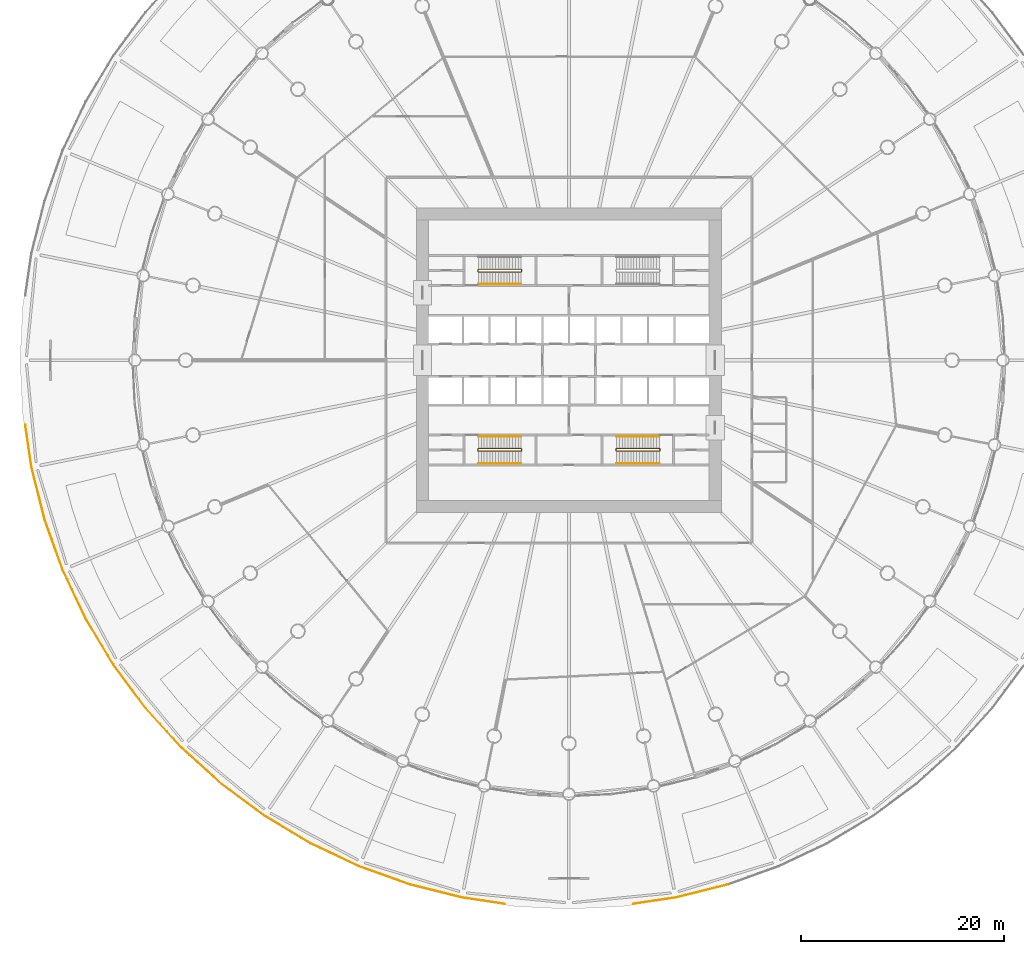
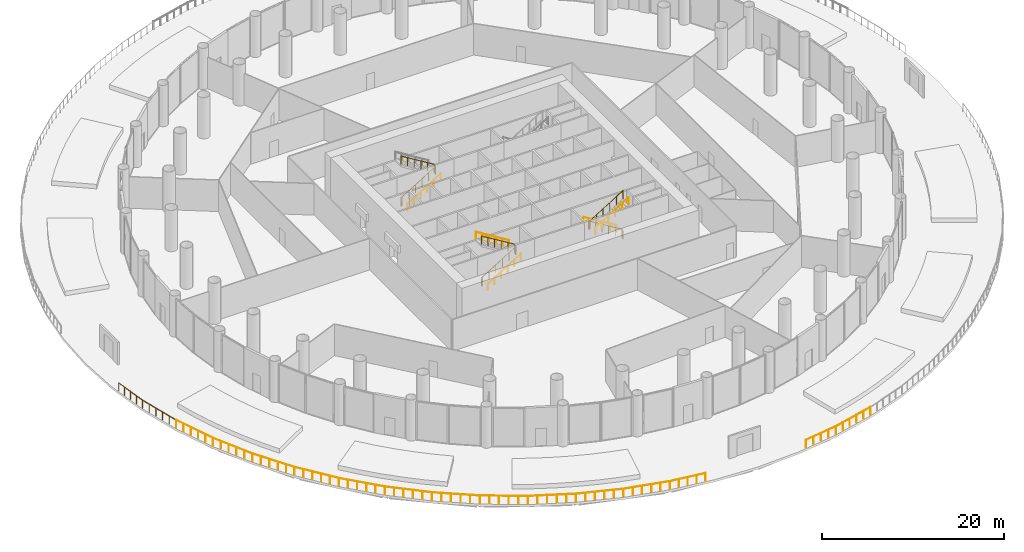
# One storey, part 34 of 36: 11 railings.
"""IFC4 building model written with IfcOpenShell, lengths in metres."""

from ifc_helpers import new_model, si_unit, direction, frame, origin, origin_2d, place, context, subcontext, project, spatial, circle, extrude, material, type_object, element, save


model = new_model("IFC4")

# Units and contexts
model_context = context("Model", 3, precision=1e-05, world=origin(), true_north=direction((0.0, 1.0)))
body_context = subcontext(model_context, "Body", "Model", "MODEL_VIEW")
ifc_project = project(units=[si_unit("LENGTHUNIT", "METRE"), si_unit("AREAUNIT", "SQUARE_METRE"), si_unit("VOLUMEUNIT", "CUBIC_METRE"), si_unit("PLANEANGLEUNIT", "RADIAN"), si_unit("MASSUNIT", "GRAM", prefix="KILO")], contexts=[model_context])

# Site, building, storey
site_placement = place(None, origin())
site = spatial("IfcSite", under=ifc_project, at=site_placement, CompositionType="ELEMENT")
building_placement = place(site_placement, origin())
building = spatial("IfcBuilding", under=site, at=building_placement, Name="Corvane Civic Tower", CompositionType="ELEMENT")
storey_placement = place(building_placement, frame((0.0, 0.0, 6.0)))
storey = spatial("IfcBuildingStorey", under=building, at=storey_placement, Name="L01", CompositionType="ELEMENT", Elevation=6.0)

# Railings
ifc_material_1 = material(Name="Steel ASTM A572 Gr 50", Category="steel")
railing_type_1 = type_object("IfcRailingType", Name="PODIUM-RL-GUARD-1100", PredefinedType="GUARDRAIL", material=ifc_material_1)
railing_1_placement = place(storey_placement, frame((-6.35009765625, -53.482177734375, 0.0)))
element("IfcRailing", 1, at=railing_1_placement, inside=storey, type_object=railing_type_1, Name="Garden deck guard 3", PredefinedType="GUARDRAIL", context=body_context, shape_type="SweptSolid", body=[
    extrude(circle(Radius=0.02392578125, at=origin_2d()), frame((0.0, 0.0, 1.076171875), z_axis=(-0.989174492617, 0.146744073666, 0.0), x_axis=(-0.146744073666, -0.989174492617, 0.0)), (0.0, 0.0, 1.0), 4.2109375),
    extrude(circle(Radius=0.02392578125, at=origin_2d()), frame((-4.165283203125, 0.617919921875, 1.076171875), z_axis=(-0.970033798368, 0.242970018777, 0.0), x_axis=(-0.242970018777, -0.970033798368, 0.0)), (0.0, 0.0, 1.0), 5.289306640625),
    extrude(circle(Radius=0.02392578125, at=origin_2d()), frame((-9.296142578125, 1.903076171875, 1.076171875), z_axis=(-0.941527650852, 0.33693572485, 0.0), x_axis=(-0.33693572485, -0.941527650852, 0.0)), (0.0, 0.0, 1.0), 5.28955078125),
    extrude(circle(Radius=0.02392578125, at=origin_2d()), frame((-14.2763671875, 3.685302734375, 1.076171875), z_axis=(-0.903998000295, 0.427536683178, 0.0), x_axis=(-0.427536683178, -0.903998000295, 0.0)), (0.0, 0.0, 1.0), 5.28955078125),
    extrude(circle(Radius=0.02392578125, at=origin_2d()), frame((-19.05810546875, 5.94677734375, 1.076171875), z_axis=(-0.85773311943, 0.514095220589, 0.0), x_axis=(-0.514095220589, -0.85773311943, 0.0)), (0.0, 0.0, 1.0), 5.289306640625),
    extrude(circle(Radius=0.02392578125, at=origin_2d()), frame((-23.594970703125, 8.666015625, 1.076171875), z_axis=(-0.80322838799, 0.595671181716, 0.0), x_axis=(-0.595671181716, -0.80322838799, 0.0)), (0.0, 0.0, 1.0), 5.28955078125),
    extrude(circle(Radius=0.02392578125, at=origin_2d()), frame((-27.84375, 11.81689453125, 1.076171875), z_axis=(-0.740941734233, 0.671569316208, 0.0), x_axis=(-0.671569316208, -0.740941734233, 0.0)), (0.0, 0.0, 1.0), 5.28955078125),
    extrude(circle(Radius=0.02392578125, at=origin_2d()), frame((-31.762939453125, 15.369140625, 1.076171875), z_axis=(-0.671569316208, 0.740941734233, 0.0), x_axis=(-0.740941734233, -0.671569316208, 0.0)), (0.0, 0.0, 1.0), 5.28955078125),
    extrude(circle(Radius=0.02392578125, at=origin_2d()), frame((-35.315185546875, 19.288330078125, 1.076171875), z_axis=(-0.595671181716, 0.80322838799, 0.0), x_axis=(-0.80322838799, -0.595671181716, 0.0)), (0.0, 0.0, 1.0), 5.28955078125),
    extrude(circle(Radius=0.02392578125, at=origin_2d()), frame((-38.466064453125, 23.537109375, 1.076171875), z_axis=(-0.514095220589, 0.85773311943, 0.0), x_axis=(-0.85773311943, -0.514095220589, 0.0)), (0.0, 0.0, 1.0), 5.289306640625),
    extrude(circle(Radius=0.02392578125, at=origin_2d()), frame((-41.185302734375, 28.073974609375, 1.076171875), z_axis=(-0.427536683178, 0.903998000295, 0.0), x_axis=(-0.903998000295, -0.427536683178, 0.0)), (0.0, 0.0, 1.0), 5.28955078125),
    extrude(circle(Radius=0.02392578125, at=origin_2d()), frame((-43.44677734375, 32.855712890625, 1.076171875), z_axis=(-0.336923904714, 0.941531880731, 0.0), x_axis=(-0.941531880731, -0.336923904714, 0.0)), (0.0, 0.0, 1.0), 5.264404296875),
    extrude(circle(Radius=0.02099609375, at=origin_2d()), origin(), (0.0, 0.0, 1.0), 1.052001953125),
    extrude(circle(Radius=0.02099609375, at=origin_2d()), frame((-1.041259765625, 0.154541015625, 0.0)), (0.0, 0.0, 1.0), 1.052001953125),
    extrude(circle(Radius=0.02099609375, at=origin_2d()), frame((-2.08251953125, 0.30908203125, 0.0)), (0.0, 0.0, 1.0), 1.052001953125),
    extrude(circle(Radius=0.02099609375, at=origin_2d()), frame((-3.1240234375, 0.46337890625, 0.0)), (0.0, 0.0, 1.0), 1.052001953125),
    extrude(circle(Radius=0.02099609375, at=origin_2d()), frame((-4.165283203125, 0.617919921875, 0.0)), (0.0, 0.0, 1.0), 1.052001953125),
    extrude(circle(Radius=0.02099609375, at=origin_2d()), frame((-5.19140625, 0.875, 0.0)), (0.0, 0.0, 1.0), 1.052001953125),
    extrude(circle(Radius=0.02099609375, at=origin_2d()), frame((-6.217529296875, 1.132080078125, 0.0)), (0.0, 0.0, 1.0), 1.052001953125),
    extrude(circle(Radius=0.02099609375, at=origin_2d()), frame((-7.243896484375, 1.388916015625, 0.0)), (0.0, 0.0, 1.0), 1.052001953125),
    extrude(circle(Radius=0.02099609375, at=origin_2d()), frame((-8.27001953125, 1.64599609375, 0.0)), (0.0, 0.0, 1.0), 1.052001953125),
    extrude(circle(Radius=0.02099609375, at=origin_2d()), frame((-9.296142578125, 1.903076171875, 0.0)), (0.0, 0.0, 1.0), 1.052001953125),
    extrude(circle(Radius=0.02099609375, at=origin_2d()), frame((-10.292236328125, 2.259521484375, 0.0)), (0.0, 0.0, 1.0), 1.052001953125),
    extrude(circle(Radius=0.02099609375, at=origin_2d()), frame((-11.288330078125, 2.615966796875, 0.0)), (0.0, 0.0, 1.0), 1.052001953125),
    extrude(circle(Radius=0.02099609375, at=origin_2d()), frame((-12.2841796875, 2.972412109375, 0.0)), (0.0, 0.0, 1.0), 1.052001953125),
    extrude(circle(Radius=0.02099609375, at=origin_2d()), frame((-13.2802734375, 3.328857421875, 0.0)), (0.0, 0.0, 1.0), 1.052001953125),
    extrude(circle(Radius=0.02099609375, at=origin_2d()), frame((-14.2763671875, 3.685302734375, 0.0)), (0.0, 0.0, 1.0), 1.052001953125),
    extrude(circle(Radius=0.02099609375, at=origin_2d()), frame((-15.232666015625, 4.1376953125, 0.0)), (0.0, 0.0, 1.0), 1.052001953125),
    extrude(circle(Radius=0.02099609375, at=origin_2d()), frame((-16.18896484375, 4.58984375, 0.0)), (0.0, 0.0, 1.0), 1.052001953125),
    extrude(circle(Radius=0.02099609375, at=origin_2d()), frame((-17.1455078125, 5.042236328125, 0.0)), (0.0, 0.0, 1.0), 1.052001953125),
    extrude(circle(Radius=0.02099609375, at=origin_2d()), frame((-18.101806640625, 5.494384765625, 0.0)), (0.0, 0.0, 1.0), 1.052001953125),
    extrude(circle(Radius=0.02099609375, at=origin_2d()), frame((-19.05810546875, 5.94677734375, 0.0)), (0.0, 0.0, 1.0), 1.052001953125),
    extrude(circle(Radius=0.02099609375, at=origin_2d()), frame((-19.965576171875, 6.49072265625, 0.0)), (0.0, 0.0, 1.0), 1.052001953125),
    extrude(circle(Radius=0.02099609375, at=origin_2d()), frame((-20.872802734375, 7.034423828125, 0.0)), (0.0, 0.0, 1.0), 1.052001953125),
    extrude(circle(Radius=0.02099609375, at=origin_2d()), frame((-21.7802734375, 7.578369140625, 0.0)), (0.0, 0.0, 1.0), 1.052001953125),
    extrude(circle(Radius=0.02099609375, at=origin_2d()), frame((-22.6875, 8.1220703125, 0.0)), (0.0, 0.0, 1.0), 1.052001953125),
    extrude(circle(Radius=0.02099609375, at=origin_2d()), frame((-23.594970703125, 8.666015625, 0.0)), (0.0, 0.0, 1.0), 1.052001953125),
    extrude(circle(Radius=0.02099609375, at=origin_2d()), frame((-24.44482421875, 9.296142578125, 0.0)), (0.0, 0.0, 1.0), 1.052001953125),
    extrude(circle(Radius=0.02099609375, at=origin_2d()), frame((-25.29443359375, 9.92626953125, 0.0)), (0.0, 0.0, 1.0), 1.052001953125),
    extrude(circle(Radius=0.02099609375, at=origin_2d()), frame((-26.144287109375, 10.556640625, 0.0)), (0.0, 0.0, 1.0), 1.052001953125),
    extrude(circle(Radius=0.02099609375, at=origin_2d()), frame((-26.993896484375, 11.186767578125, 0.0)), (0.0, 0.0, 1.0), 1.052001953125),
    extrude(circle(Radius=0.02099609375, at=origin_2d()), frame((-27.84375, 11.81689453125, 0.0)), (0.0, 0.0, 1.0), 1.052001953125),
    extrude(circle(Radius=0.02099609375, at=origin_2d()), frame((-28.627685546875, 12.52734375, 0.0)), (0.0, 0.0, 1.0), 1.052001953125),
    extrude(circle(Radius=0.02099609375, at=origin_2d()), frame((-29.411376953125, 13.23779296875, 0.0)), (0.0, 0.0, 1.0), 1.052001953125),
    extrude(circle(Radius=0.02099609375, at=origin_2d()), frame((-30.1953125, 13.9482421875, 0.0)), (0.0, 0.0, 1.0), 1.052001953125),
    extrude(circle(Radius=0.02099609375, at=origin_2d()), frame((-30.97900390625, 14.65869140625, 0.0)), (0.0, 0.0, 1.0), 1.052001953125),
    extrude(circle(Radius=0.02099609375, at=origin_2d()), frame((-31.762939453125, 15.369140625, 0.0)), (0.0, 0.0, 1.0), 1.052001953125),
    extrude(circle(Radius=0.02099609375, at=origin_2d()), frame((-32.473388671875, 16.153076171875, 0.0)), (0.0, 0.0, 1.0), 1.052001953125),
    extrude(circle(Radius=0.02099609375, at=origin_2d()), frame((-33.183837890625, 16.936767578125, 0.0)), (0.0, 0.0, 1.0), 1.052001953125),
    extrude(circle(Radius=0.02099609375, at=origin_2d()), frame((-33.894287109375, 17.720703125, 0.0)), (0.0, 0.0, 1.0), 1.052001953125),
    extrude(circle(Radius=0.02099609375, at=origin_2d()), frame((-34.604736328125, 18.50439453125, 0.0)), (0.0, 0.0, 1.0), 1.052001953125),
    extrude(circle(Radius=0.02099609375, at=origin_2d()), frame((-35.315185546875, 19.288330078125, 0.0)), (0.0, 0.0, 1.0), 1.052001953125),
    extrude(circle(Radius=0.02099609375, at=origin_2d()), frame((-35.9453125, 20.13818359375, 0.0)), (0.0, 0.0, 1.0), 1.052001953125),
    extrude(circle(Radius=0.02099609375, at=origin_2d()), frame((-36.575439453125, 20.98779296875, 0.0)), (0.0, 0.0, 1.0), 1.052001953125),
    extrude(circle(Radius=0.02099609375, at=origin_2d()), frame((-37.205810546875, 21.837646484375, 0.0)), (0.0, 0.0, 1.0), 1.052001953125),
    extrude(circle(Radius=0.02099609375, at=origin_2d()), frame((-37.8359375, 22.687255859375, 0.0)), (0.0, 0.0, 1.0), 1.052001953125),
    extrude(circle(Radius=0.02099609375, at=origin_2d()), frame((-38.466064453125, 23.537109375, 0.0)), (0.0, 0.0, 1.0), 1.052001953125),
    extrude(circle(Radius=0.02099609375, at=origin_2d()), frame((-39.010009765625, 24.444580078125, 0.0)), (0.0, 0.0, 1.0), 1.052001953125),
    extrude(circle(Radius=0.02099609375, at=origin_2d()), frame((-39.5537109375, 25.351806640625, 0.0)), (0.0, 0.0, 1.0), 1.052001953125),
    extrude(circle(Radius=0.02099609375, at=origin_2d()), frame((-40.09765625, 26.25927734375, 0.0)), (0.0, 0.0, 1.0), 1.052001953125),
    extrude(circle(Radius=0.02099609375, at=origin_2d()), frame((-40.641357421875, 27.16650390625, 0.0)), (0.0, 0.0, 1.0), 1.052001953125),
    extrude(circle(Radius=0.02099609375, at=origin_2d()), frame((-41.185302734375, 28.073974609375, 0.0)), (0.0, 0.0, 1.0), 1.052001953125),
    extrude(circle(Radius=0.02099609375, at=origin_2d()), frame((-41.6376953125, 29.0302734375, 0.0)), (0.0, 0.0, 1.0), 1.052001953125),
    extrude(circle(Radius=0.02099609375, at=origin_2d()), frame((-42.08984375, 29.986572265625, 0.0)), (0.0, 0.0, 1.0), 1.052001953125),
    extrude(circle(Radius=0.02099609375, at=origin_2d()), frame((-42.542236328125, 30.943115234375, 0.0)), (0.0, 0.0, 1.0), 1.052001953125),
    extrude(circle(Radius=0.02099609375, at=origin_2d()), frame((-42.994384765625, 31.8994140625, 0.0)), (0.0, 0.0, 1.0), 1.052001953125),
    extrude(circle(Radius=0.02099609375, at=origin_2d()), frame((-43.44677734375, 32.855712890625, 0.0)), (0.0, 0.0, 1.0), 1.052001953125),
    extrude(circle(Radius=0.02099609375, at=origin_2d()), frame((-43.801513671875, 33.846923828125, 0.0)), (0.0, 0.0, 1.0), 1.052001953125),
    extrude(circle(Radius=0.02099609375, at=origin_2d()), frame((-44.15625, 34.83837890625, 0.0)), (0.0, 0.0, 1.0), 1.052001953125),
    extrude(circle(Radius=0.02099609375, at=origin_2d()), frame((-44.510986328125, 35.82958984375, 0.0)), (0.0, 0.0, 1.0), 1.052001953125),
    extrude(circle(Radius=0.02099609375, at=origin_2d()), frame((-44.86572265625, 36.821044921875, 0.0)), (0.0, 0.0, 1.0), 1.052001953125),
    extrude(circle(Radius=0.02099609375, at=origin_2d()), frame((-45.220458984375, 37.812255859375, 0.0)), (0.0, 0.0, 1.0), 1.052001953125),
])
railing_2_placement = place(storey_placement, frame((-51.585205078125, -15.6220703125, 0.0)))
element("IfcRailing", 2, at=railing_2_placement, inside=storey, type_object=railing_type_1, Name="Garden deck guard 4", PredefinedType="GUARDRAIL", context=body_context, shape_type="SweptSolid", body=[
    extrude(circle(Radius=0.02392578125, at=origin_2d()), frame((0.0, 0.0, 1.076171875), z_axis=(-0.242961164974, 0.970036015988, 0.0), x_axis=(-0.970036015988, -0.242961164974, 0.0)), (0.0, 0.0, 1.0), 5.264404296875),
    extrude(circle(Radius=0.02392578125, at=origin_2d()), frame((-1.279052734375, 5.106689453125, 1.076171875), z_axis=(-0.146744073666, 0.989174492617, 0.0), x_axis=(-0.989174492617, -0.146744073666, 0.0)), (0.0, 0.0, 1.0), 4.2109375),
    extrude(circle(Radius=0.02099609375, at=origin_2d()), origin(), (0.0, 0.0, 1.0), 1.052001953125),
    extrude(circle(Radius=0.02099609375, at=origin_2d()), frame((-0.255859375, 1.021240234375, 0.0)), (0.0, 0.0, 1.0), 1.052001953125),
    extrude(circle(Radius=0.02099609375, at=origin_2d()), frame((-0.51171875, 2.042724609375, 0.0)), (0.0, 0.0, 1.0), 1.052001953125),
    extrude(circle(Radius=0.02099609375, at=origin_2d()), frame((-0.767333984375, 3.06396484375, 0.0)), (0.0, 0.0, 1.0), 1.052001953125),
    extrude(circle(Radius=0.02099609375, at=origin_2d()), frame((-1.023193359375, 4.08544921875, 0.0)), (0.0, 0.0, 1.0), 1.052001953125),
    extrude(circle(Radius=0.02099609375, at=origin_2d()), frame((-1.279052734375, 5.106689453125, 0.0)), (0.0, 0.0, 1.0), 1.052001953125),
    extrude(circle(Radius=0.02099609375, at=origin_2d()), frame((-1.43359375, 6.14794921875, 0.0)), (0.0, 0.0, 1.0), 1.052001953125),
    extrude(circle(Radius=0.02099609375, at=origin_2d()), frame((-1.587890625, 7.189453125, 0.0)), (0.0, 0.0, 1.0), 1.052001953125),
    extrude(circle(Radius=0.02099609375, at=origin_2d()), frame((-1.742431640625, 8.230712890625, 0.0)), (0.0, 0.0, 1.0), 1.052001953125),
    extrude(circle(Radius=0.02099609375, at=origin_2d()), frame((-1.89697265625, 9.27197265625, 0.0)), (0.0, 0.0, 1.0), 1.052001953125),
])
railing_3_placement = place(storey_placement, frame((15.6220703125, -51.585205078125, 0.0)))
element("IfcRailing", 3, at=railing_3_placement, inside=storey, type_object=railing_type_1, Name="Garden deck guard 8", PredefinedType="GUARDRAIL", context=body_context, shape_type="SweptSolid", body=[
    extrude(circle(Radius=0.02392578125, at=origin_2d()), frame((0.0, 0.0, 1.076171875), z_axis=(-0.970036015988, -0.242961164974, 0.0), x_axis=(0.242961164974, -0.970036015988, 0.0)), (0.0, 0.0, 1.0), 5.264404296875),
    extrude(circle(Radius=0.02392578125, at=origin_2d()), frame((-5.106689453125, -1.279052734375, 1.076171875), z_axis=(-0.989174492617, -0.146744073666, 0.0), x_axis=(0.146744073666, -0.989174492617, 0.0)), (0.0, 0.0, 1.0), 4.2109375),
    extrude(circle(Radius=0.02099609375, at=origin_2d()), origin(), (0.0, 0.0, 1.0), 1.052001953125),
    extrude(circle(Radius=0.02099609375, at=origin_2d()), frame((-1.021240234375, -0.255859375, 0.0)), (0.0, 0.0, 1.0), 1.052001953125),
    extrude(circle(Radius=0.02099609375, at=origin_2d()), frame((-2.042724609375, -0.51171875, 0.0)), (0.0, 0.0, 1.0), 1.052001953125),
    extrude(circle(Radius=0.02099609375, at=origin_2d()), frame((-3.06396484375, -0.767333984375, 0.0)), (0.0, 0.0, 1.0), 1.052001953125),
    extrude(circle(Radius=0.02099609375, at=origin_2d()), frame((-4.08544921875, -1.023193359375, 0.0)), (0.0, 0.0, 1.0), 1.052001953125),
    extrude(circle(Radius=0.02099609375, at=origin_2d()), frame((-5.106689453125, -1.279052734375, 0.0)), (0.0, 0.0, 1.0), 1.052001953125),
    extrude(circle(Radius=0.02099609375, at=origin_2d()), frame((-6.14794921875, -1.43359375, 0.0)), (0.0, 0.0, 1.0), 1.052001953125),
    extrude(circle(Radius=0.02099609375, at=origin_2d()), frame((-7.189453125, -1.587890625, 0.0)), (0.0, 0.0, 1.0), 1.052001953125),
    extrude(circle(Radius=0.02099609375, at=origin_2d()), frame((-8.230712890625, -1.742431640625, 0.0)), (0.0, 0.0, 1.0), 1.052001953125),
    extrude(circle(Radius=0.02099609375, at=origin_2d()), frame((-9.27197265625, -1.89697265625, 0.0)), (0.0, 0.0, 1.0), 1.052001953125),
])
ifc_material_2 = material(Name="Steel ASTM A572 Gr 50", Category="steel")
railing_type_2 = type_object("IfcRailingType", Name="ST-GUARD-1100", PredefinedType="GUARDRAIL", material=ifc_material_2)
railing_4_placement = place(storey_placement, frame((8.949951171875, -8.89990234375, 0.0)))
element("IfcRailing", 4, at=railing_4_placement, inside=storey, type_object=railing_type_2, Name="L01 ST2 stair guard 1", PredefinedType="GUARDRAIL", context=body_context, shape_type="SweptSolid", body=[
    extrude(circle(Radius=0.02392578125, at=origin_2d()), frame((0.0, 0.0, 1.076171875), z_axis=(0.0, 1.0, 0.0), x_axis=(-1.0, 0.0, 0.0)), (0.0, 0.0, 1.0), 0.14990234375),
    extrude(circle(Radius=0.02392578125, at=origin_2d()), frame((0.0, 0.14990234375, 1.076171875), z_axis=(-0.269255725606, 0.269255725606, 0.92466356501), x_axis=(-0.707106781187, -0.707106781187, 0.0)), (0.0, 0.0, 1.0), 0.185791015625),
    extrude(circle(Radius=0.02392578125, at=origin_2d()), frame((-0.050048828125, 0.199951171875, 1.248046875), z_axis=(-0.852242915053, 0.0, 0.523146264196), x_axis=(0.0, -1.0, 0.0)), (0.0, 0.0, 1.0), 4.92822265625),
    extrude(circle(Radius=0.02392578125, at=origin_2d()), frame((-4.25, 0.199951171875, 3.826171875), z_axis=(-0.707106781187, -0.707106781187, 0.0), x_axis=(0.707106781187, -0.707106781187, 0.0)), (0.0, 0.0, 1.0), 0.07080078125),
    extrude(circle(Radius=0.02392578125, at=origin_2d()), frame((-4.300048828125, 0.14990234375, 3.826171875), z_axis=(0.0, -1.0, 0.0), x_axis=(1.0, 0.0, 0.0)), (0.0, 0.0, 1.0), 0.14990234375),
    extrude(circle(Radius=0.02392578125, at=origin_2d()), frame((-4.300048828125, 0.0, 3.826171875), z_axis=(0.269255725606, -0.269255725606, 0.92466356501), x_axis=(0.707106781187, 0.707106781187, 0.0)), (0.0, 0.0, 1.0), 0.185791015625),
    extrude(circle(Radius=0.02392578125, at=origin_2d()), frame((-4.25, -0.050048828125, 3.998046875), z_axis=(0.852242915053, 0.0, 0.523146264196), x_axis=(0.0, 1.0, 0.0)), (0.0, 0.0, 1.0), 4.92822265625),
    extrude(circle(Radius=0.02099609375, at=origin_2d()), origin(), (0.0, 0.0, 1.0), 1.052001953125),
    extrude(circle(Radius=0.02099609375, at=origin_2d()), frame((0.0, 0.14990234375, 0.0)), (0.0, 0.0, 1.0), 1.052001953125),
    extrude(circle(Radius=0.02099609375, at=origin_2d()), frame((-0.050048828125, 0.199951171875, 0.171875)), (0.0, 0.0, 1.0), 1.052001953125),
    extrude(circle(Radius=0.02099609375, at=origin_2d()), frame((-0.89013671875, 0.199951171875, 0.6875)), (0.0, 0.0, 1.0), 1.052001953125),
    extrude(circle(Radius=0.02099609375, at=origin_2d()), frame((-1.72998046875, 0.199951171875, 1.203125)), (0.0, 0.0, 1.0), 1.052001953125),
    extrude(circle(Radius=0.02099609375, at=origin_2d()), frame((-2.570068359375, 0.199951171875, 1.71875)), (0.0, 0.0, 1.0), 1.052001953125),
    extrude(circle(Radius=0.02099609375, at=origin_2d()), frame((-3.409912109375, 0.199951171875, 2.234375)), (0.0, 0.0, 1.0), 1.052001953125),
    extrude(circle(Radius=0.02099609375, at=origin_2d()), frame((-4.25, 0.199951171875, 2.75)), (0.0, 0.0, 1.0), 1.052001953125),
    extrude(circle(Radius=0.02099609375, at=origin_2d()), frame((-4.300048828125, 0.14990234375, 2.75)), (0.0, 0.0, 1.0), 1.052001953125),
    extrude(circle(Radius=0.02099609375, at=origin_2d()), frame((-4.300048828125, 0.0, 2.75)), (0.0, 0.0, 1.0), 1.052001953125),
    extrude(circle(Radius=0.02099609375, at=origin_2d()), frame((-4.25, -0.050048828125, 2.921875)), (0.0, 0.0, 1.0), 1.052001953125),
    extrude(circle(Radius=0.02099609375, at=origin_2d()), frame((-3.409912109375, -0.050048828125, 3.4375)), (0.0, 0.0, 1.0), 1.052001953125),
    extrude(circle(Radius=0.02099609375, at=origin_2d()), frame((-2.570068359375, -0.050048828125, 3.953125)), (0.0, 0.0, 1.0), 1.052001953125),
    extrude(circle(Radius=0.02099609375, at=origin_2d()), frame((-1.72998046875, -0.050048828125, 4.46875)), (0.0, 0.0, 1.0), 1.052001953125),
    extrude(circle(Radius=0.02099609375, at=origin_2d()), frame((-0.89013671875, -0.050048828125, 4.984375)), (0.0, 0.0, 1.0), 1.052001953125),
    extrude(circle(Radius=0.02099609375, at=origin_2d()), frame((-0.050048828125, -0.050048828125, 5.5)), (0.0, 0.0, 1.0), 1.052001953125),
])
railing_5_placement = place(storey_placement, frame((-8.949951171875, -8.75, 0.0)))
element("IfcRailing", 5, at=railing_5_placement, inside=storey, type_object=railing_type_2, Name="L01 ST3 stair guard 1", PredefinedType="GUARDRAIL", context=body_context, shape_type="SweptSolid", body=[
    extrude(circle(Radius=0.02392578125, at=origin_2d()), frame((0.0, 0.0, 1.076171875), z_axis=(0.0, -1.0, 0.0), x_axis=(1.0, 0.0, 0.0)), (0.0, 0.0, 1.0), 0.14990234375),
    extrude(circle(Radius=0.02392578125, at=origin_2d()), frame((0.0, -0.14990234375, 1.076171875), z_axis=(0.269255725606, -0.269255725606, 0.92466356501), x_axis=(0.707106781187, 0.707106781187, 0.0)), (0.0, 0.0, 1.0), 0.185791015625),
    extrude(circle(Radius=0.02392578125, at=origin_2d()), frame((0.050048828125, -0.199951171875, 1.248046875), z_axis=(0.852242915053, 0.0, 0.523146264196), x_axis=(0.0, 1.0, 0.0)), (0.0, 0.0, 1.0), 4.92822265625),
    extrude(circle(Radius=0.02392578125, at=origin_2d()), frame((4.25, -0.199951171875, 3.826171875), z_axis=(0.707106781187, 0.707106781187, 0.0), x_axis=(-0.707106781187, 0.707106781187, 0.0)), (0.0, 0.0, 1.0), 0.07080078125),
    extrude(circle(Radius=0.02392578125, at=origin_2d()), frame((4.300048828125, -0.14990234375, 3.826171875), z_axis=(0.0, 1.0, 0.0), x_axis=(-1.0, 0.0, 0.0)), (0.0, 0.0, 1.0), 0.14990234375),
    extrude(circle(Radius=0.02392578125, at=origin_2d()), frame((4.300048828125, 0.0, 3.826171875), z_axis=(-0.269255725606, 0.269255725606, 0.92466356501), x_axis=(-0.707106781187, -0.707106781187, 0.0)), (0.0, 0.0, 1.0), 0.185791015625),
    extrude(circle(Radius=0.02392578125, at=origin_2d()), frame((4.25, 0.050048828125, 3.998046875), z_axis=(-0.852242915053, 0.0, 0.523146264196), x_axis=(0.0, -1.0, 0.0)), (0.0, 0.0, 1.0), 4.92822265625),
    extrude(circle(Radius=0.02099609375, at=origin_2d()), origin(), (0.0, 0.0, 1.0), 1.052001953125),
    extrude(circle(Radius=0.02099609375, at=origin_2d()), frame((0.0, -0.14990234375, 0.0)), (0.0, 0.0, 1.0), 1.052001953125),
    extrude(circle(Radius=0.02099609375, at=origin_2d()), frame((0.050048828125, -0.199951171875, 0.171875)), (0.0, 0.0, 1.0), 1.052001953125),
    extrude(circle(Radius=0.02099609375, at=origin_2d()), frame((0.89013671875, -0.199951171875, 0.6875)), (0.0, 0.0, 1.0), 1.052001953125),
    extrude(circle(Radius=0.02099609375, at=origin_2d()), frame((1.72998046875, -0.199951171875, 1.203125)), (0.0, 0.0, 1.0), 1.052001953125),
    extrude(circle(Radius=0.02099609375, at=origin_2d()), frame((2.570068359375, -0.199951171875, 1.71875)), (0.0, 0.0, 1.0), 1.052001953125),
    extrude(circle(Radius=0.02099609375, at=origin_2d()), frame((3.409912109375, -0.199951171875, 2.234375)), (0.0, 0.0, 1.0), 1.052001953125),
    extrude(circle(Radius=0.02099609375, at=origin_2d()), frame((4.25, -0.199951171875, 2.75)), (0.0, 0.0, 1.0), 1.052001953125),
    extrude(circle(Radius=0.02099609375, at=origin_2d()), frame((4.300048828125, -0.14990234375, 2.75)), (0.0, 0.0, 1.0), 1.052001953125),
    extrude(circle(Radius=0.02099609375, at=origin_2d()), frame((4.300048828125, 0.0, 2.75)), (0.0, 0.0, 1.0), 1.052001953125),
    extrude(circle(Radius=0.02099609375, at=origin_2d()), frame((4.25, 0.050048828125, 2.921875)), (0.0, 0.0, 1.0), 1.052001953125),
    extrude(circle(Radius=0.02099609375, at=origin_2d()), frame((3.409912109375, 0.050048828125, 3.4375)), (0.0, 0.0, 1.0), 1.052001953125),
    extrude(circle(Radius=0.02099609375, at=origin_2d()), frame((2.570068359375, 0.050048828125, 3.953125)), (0.0, 0.0, 1.0), 1.052001953125),
    extrude(circle(Radius=0.02099609375, at=origin_2d()), frame((1.72998046875, 0.050048828125, 4.46875)), (0.0, 0.0, 1.0), 1.052001953125),
    extrude(circle(Radius=0.02099609375, at=origin_2d()), frame((0.89013671875, 0.050048828125, 4.984375)), (0.0, 0.0, 1.0), 1.052001953125),
    extrude(circle(Radius=0.02099609375, at=origin_2d()), frame((0.050048828125, 0.050048828125, 5.5)), (0.0, 0.0, 1.0), 1.052001953125),
])
railing_6_placement = place(storey_placement, frame((-8.949951171875, 8.89990234375, 0.0)))
element("IfcRailing", 6, at=railing_6_placement, inside=storey, type_object=railing_type_2, Name="L01 ST4 stair guard 1", PredefinedType="GUARDRAIL", context=body_context, shape_type="SweptSolid", body=[
    extrude(circle(Radius=0.02392578125, at=origin_2d()), frame((0.0, 0.0, 1.076171875), z_axis=(0.0, -1.0, 0.0), x_axis=(1.0, 0.0, 0.0)), (0.0, 0.0, 1.0), 0.14990234375),
    extrude(circle(Radius=0.02392578125, at=origin_2d()), frame((0.0, -0.14990234375, 1.076171875), z_axis=(0.269255725606, -0.269255725606, 0.92466356501), x_axis=(0.707106781187, 0.707106781187, 0.0)), (0.0, 0.0, 1.0), 0.185791015625),
    extrude(circle(Radius=0.02392578125, at=origin_2d()), frame((0.050048828125, -0.199951171875, 1.248046875), z_axis=(0.852242915053, 0.0, 0.523146264196), x_axis=(0.0, 1.0, 0.0)), (0.0, 0.0, 1.0), 4.92822265625),
    extrude(circle(Radius=0.02392578125, at=origin_2d()), frame((4.25, -0.199951171875, 3.826171875), z_axis=(0.707106781187, 0.707106781187, 0.0), x_axis=(-0.707106781187, 0.707106781187, 0.0)), (0.0, 0.0, 1.0), 0.07080078125),
    extrude(circle(Radius=0.02392578125, at=origin_2d()), frame((4.300048828125, -0.14990234375, 3.826171875), z_axis=(0.0, 1.0, 0.0), x_axis=(-1.0, 0.0, 0.0)), (0.0, 0.0, 1.0), 0.14990234375),
    extrude(circle(Radius=0.02392578125, at=origin_2d()), frame((4.300048828125, 0.0, 3.826171875), z_axis=(-0.269255725606, 0.269255725606, 0.92466356501), x_axis=(-0.707106781187, -0.707106781187, 0.0)), (0.0, 0.0, 1.0), 0.185791015625),
    extrude(circle(Radius=0.02392578125, at=origin_2d()), frame((4.25, 0.050048828125, 3.998046875), z_axis=(-0.852242915053, 0.0, 0.523146264196), x_axis=(0.0, -1.0, 0.0)), (0.0, 0.0, 1.0), 4.92822265625),
    extrude(circle(Radius=0.02099609375, at=origin_2d()), origin(), (0.0, 0.0, 1.0), 1.052001953125),
    extrude(circle(Radius=0.02099609375, at=origin_2d()), frame((0.0, -0.14990234375, 0.0)), (0.0, 0.0, 1.0), 1.052001953125),
    extrude(circle(Radius=0.02099609375, at=origin_2d()), frame((0.050048828125, -0.199951171875, 0.171875)), (0.0, 0.0, 1.0), 1.052001953125),
    extrude(circle(Radius=0.02099609375, at=origin_2d()), frame((0.89013671875, -0.199951171875, 0.6875)), (0.0, 0.0, 1.0), 1.052001953125),
    extrude(circle(Radius=0.02099609375, at=origin_2d()), frame((1.72998046875, -0.199951171875, 1.203125)), (0.0, 0.0, 1.0), 1.052001953125),
    extrude(circle(Radius=0.02099609375, at=origin_2d()), frame((2.570068359375, -0.199951171875, 1.71875)), (0.0, 0.0, 1.0), 1.052001953125),
    extrude(circle(Radius=0.02099609375, at=origin_2d()), frame((3.409912109375, -0.199951171875, 2.234375)), (0.0, 0.0, 1.0), 1.052001953125),
    extrude(circle(Radius=0.02099609375, at=origin_2d()), frame((4.25, -0.199951171875, 2.75)), (0.0, 0.0, 1.0), 1.052001953125),
    extrude(circle(Radius=0.02099609375, at=origin_2d()), frame((4.300048828125, -0.14990234375, 2.75)), (0.0, 0.0, 1.0), 1.052001953125),
    extrude(circle(Radius=0.02099609375, at=origin_2d()), frame((4.300048828125, 0.0, 2.75)), (0.0, 0.0, 1.0), 1.052001953125),
    extrude(circle(Radius=0.02099609375, at=origin_2d()), frame((4.25, 0.050048828125, 2.921875)), (0.0, 0.0, 1.0), 1.052001953125),
    extrude(circle(Radius=0.02099609375, at=origin_2d()), frame((3.409912109375, 0.050048828125, 3.4375)), (0.0, 0.0, 1.0), 1.052001953125),
    extrude(circle(Radius=0.02099609375, at=origin_2d()), frame((2.570068359375, 0.050048828125, 3.953125)), (0.0, 0.0, 1.0), 1.052001953125),
    extrude(circle(Radius=0.02099609375, at=origin_2d()), frame((1.72998046875, 0.050048828125, 4.46875)), (0.0, 0.0, 1.0), 1.052001953125),
    extrude(circle(Radius=0.02099609375, at=origin_2d()), frame((0.89013671875, 0.050048828125, 4.984375)), (0.0, 0.0, 1.0), 1.052001953125),
    extrude(circle(Radius=0.02099609375, at=origin_2d()), frame((0.050048828125, 0.050048828125, 5.5)), (0.0, 0.0, 1.0), 1.052001953125),
])
ifc_material_3 = material(Name="Steel ASTM A572 Gr 50", Category="steel")
railing_type_3 = type_object("IfcRailingType", Name="ST-HANDRAIL-900", PredefinedType="HANDRAIL", material=ifc_material_3)
railing_7_placement = place(storey_placement, frame((8.89990234375, -7.5, 0.171875)))
element("IfcRailing", 7, at=railing_7_placement, inside=storey, type_object=railing_type_3, Name="L01 ST2 stair handrail 1", PredefinedType="HANDRAIL", context=body_context, shape_type="SweptSolid", body=[
    extrude(circle(Radius=0.02392578125, at=origin_2d()), frame((0.0, 0.0, 0.8759765625), z_axis=(-0.852242915053, 0.0, 0.523146264196), x_axis=(0.0, -1.0, 0.0)), (0.0, 0.0, 1.0), 4.92822265625),
    extrude(circle(Radius=0.02099609375, at=origin_2d()), origin(), (0.0, 0.0, 1.0), 0.851806640625),
    extrude(circle(Radius=0.02099609375, at=origin_2d()), frame((-0.840087890625, 0.0, 0.515625)), (0.0, 0.0, 1.0), 0.851806640625),
    extrude(circle(Radius=0.02099609375, at=origin_2d()), frame((-1.679931640625, 0.0, 1.03125)), (0.0, 0.0, 1.0), 0.851806640625),
    extrude(circle(Radius=0.02099609375, at=origin_2d()), frame((-2.52001953125, 0.0, 1.546875)), (0.0, 0.0, 1.0), 0.851806640625),
    extrude(circle(Radius=0.02099609375, at=origin_2d()), frame((-3.35986328125, 0.0, 2.0625)), (0.0, 0.0, 1.0), 0.851806640625),
    extrude(circle(Radius=0.02099609375, at=origin_2d()), frame((-4.199951171875, 0.0, 2.578125)), (0.0, 0.0, 1.0), 0.851806640625),
])
for number, where, name in (
    (8, (4.699951171875, -10.14990234375, 2.921875), "L01 ST2 stair handrail 2"),
    (9, (-8.89990234375, -10.14990234375, 0.171875), "L01 ST3 stair handrail 1"),
):
    element("IfcRailing", number, at=place(storey_placement, frame(where)), inside=storey, type_object=railing_type_3, Name=name, PredefinedType="HANDRAIL", context=body_context, shape_type="SweptSolid", body=[
        extrude(circle(Radius=0.02392578125, at=origin_2d()), frame((0.0, 0.0, 0.8759765625), z_axis=(0.852242915053, 0.0, 0.523146264196), x_axis=(0.0, 1.0, 0.0)), (0.0, 0.0, 1.0), 4.92822265625),
        extrude(circle(Radius=0.02099609375, at=origin_2d()), origin(), (0.0, 0.0, 1.0), 0.851806640625),
        extrude(circle(Radius=0.02099609375, at=origin_2d()), frame((0.840087890625, 0.0, 0.515625)), (0.0, 0.0, 1.0), 0.851806640625),
        extrude(circle(Radius=0.02099609375, at=origin_2d()), frame((1.679931640625, 0.0, 1.03125)), (0.0, 0.0, 1.0), 0.851806640625),
        extrude(circle(Radius=0.02099609375, at=origin_2d()), frame((2.52001953125, 0.0, 1.546875)), (0.0, 0.0, 1.0), 0.851806640625),
        extrude(circle(Radius=0.02099609375, at=origin_2d()), frame((3.35986328125, 0.0, 2.0625)), (0.0, 0.0, 1.0), 0.851806640625),
        extrude(circle(Radius=0.02099609375, at=origin_2d()), frame((4.199951171875, 0.0, 2.578125)), (0.0, 0.0, 1.0), 0.851806640625),
    ])
railing_8_placement = place(storey_placement, frame((-4.699951171875, -7.5, 2.921875)))
element("IfcRailing", 10, at=railing_8_placement, inside=storey, type_object=railing_type_3, Name="L01 ST3 stair handrail 2", PredefinedType="HANDRAIL", context=body_context, shape_type="SweptSolid", body=[
    extrude(circle(Radius=0.02392578125, at=origin_2d()), frame((0.0, 0.0, 0.8759765625), z_axis=(-0.852242915053, 0.0, 0.523146264196), x_axis=(0.0, -1.0, 0.0)), (0.0, 0.0, 1.0), 4.92822265625),
    extrude(circle(Radius=0.02099609375, at=origin_2d()), origin(), (0.0, 0.0, 1.0), 0.851806640625),
    extrude(circle(Radius=0.02099609375, at=origin_2d()), frame((-0.840087890625, 0.0, 0.515625)), (0.0, 0.0, 1.0), 0.851806640625),
    extrude(circle(Radius=0.02099609375, at=origin_2d()), frame((-1.679931640625, 0.0, 1.03125)), (0.0, 0.0, 1.0), 0.851806640625),
    extrude(circle(Radius=0.02099609375, at=origin_2d()), frame((-2.52001953125, 0.0, 1.546875)), (0.0, 0.0, 1.0), 0.851806640625),
    extrude(circle(Radius=0.02099609375, at=origin_2d()), frame((-3.35986328125, 0.0, 2.0625)), (0.0, 0.0, 1.0), 0.851806640625),
    extrude(circle(Radius=0.02099609375, at=origin_2d()), frame((-4.199951171875, 0.0, 2.578125)), (0.0, 0.0, 1.0), 0.851806640625),
])
railing_9_placement = place(storey_placement, frame((-8.89990234375, 7.5, 0.171875)))
element("IfcRailing", 11, at=railing_9_placement, inside=storey, type_object=railing_type_3, Name="L01 ST4 stair handrail 1", PredefinedType="HANDRAIL", context=body_context, shape_type="SweptSolid", body=[
    extrude(circle(Radius=0.02392578125, at=origin_2d()), frame((0.0, 0.0, 0.8759765625), z_axis=(0.852242915053, 0.0, 0.523146264196), x_axis=(0.0, 1.0, 0.0)), (0.0, 0.0, 1.0), 4.92822265625),
    extrude(circle(Radius=0.02099609375, at=origin_2d()), origin(), (0.0, 0.0, 1.0), 0.851806640625),
    extrude(circle(Radius=0.02099609375, at=origin_2d()), frame((0.840087890625, 0.0, 0.515625)), (0.0, 0.0, 1.0), 0.851806640625),
    extrude(circle(Radius=0.02099609375, at=origin_2d()), frame((1.679931640625, 0.0, 1.03125)), (0.0, 0.0, 1.0), 0.851806640625),
    extrude(circle(Radius=0.02099609375, at=origin_2d()), frame((2.52001953125, 0.0, 1.546875)), (0.0, 0.0, 1.0), 0.851806640625),
    extrude(circle(Radius=0.02099609375, at=origin_2d()), frame((3.35986328125, 0.0, 2.0625)), (0.0, 0.0, 1.0), 0.851806640625),
    extrude(circle(Radius=0.02099609375, at=origin_2d()), frame((4.199951171875, 0.0, 2.578125)), (0.0, 0.0, 1.0), 0.851806640625),
])

save(model, "model.ifc")
